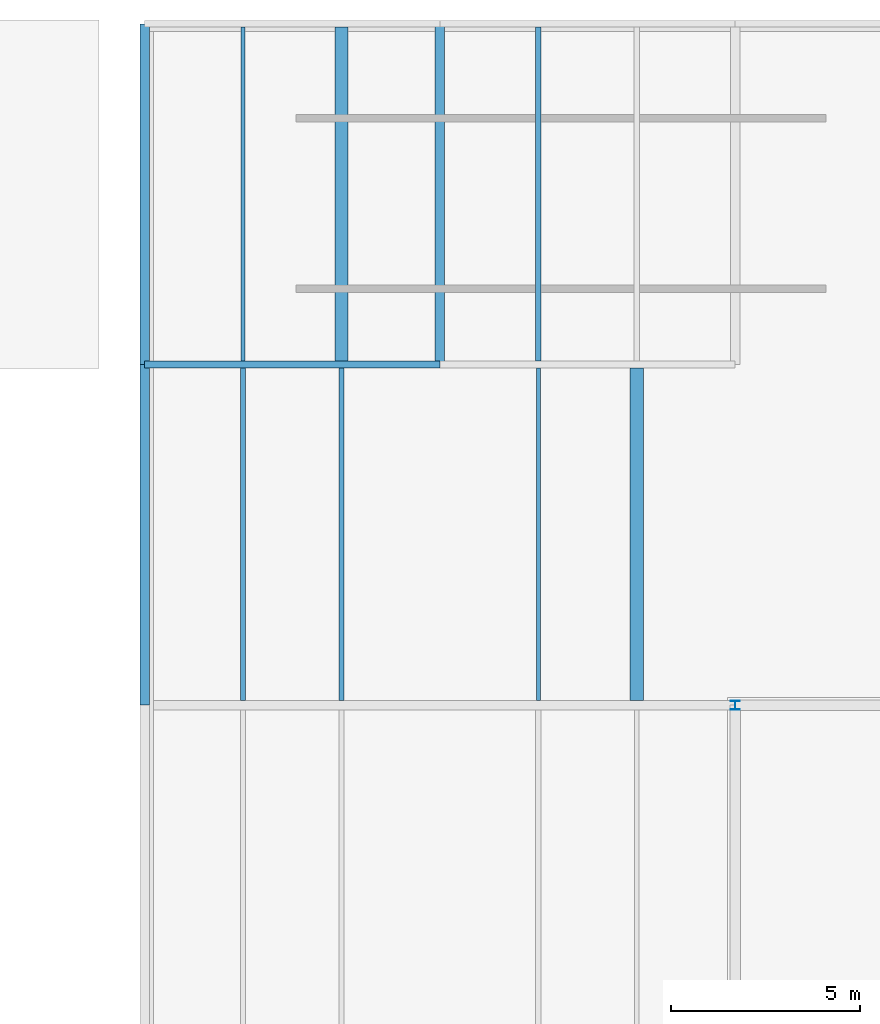
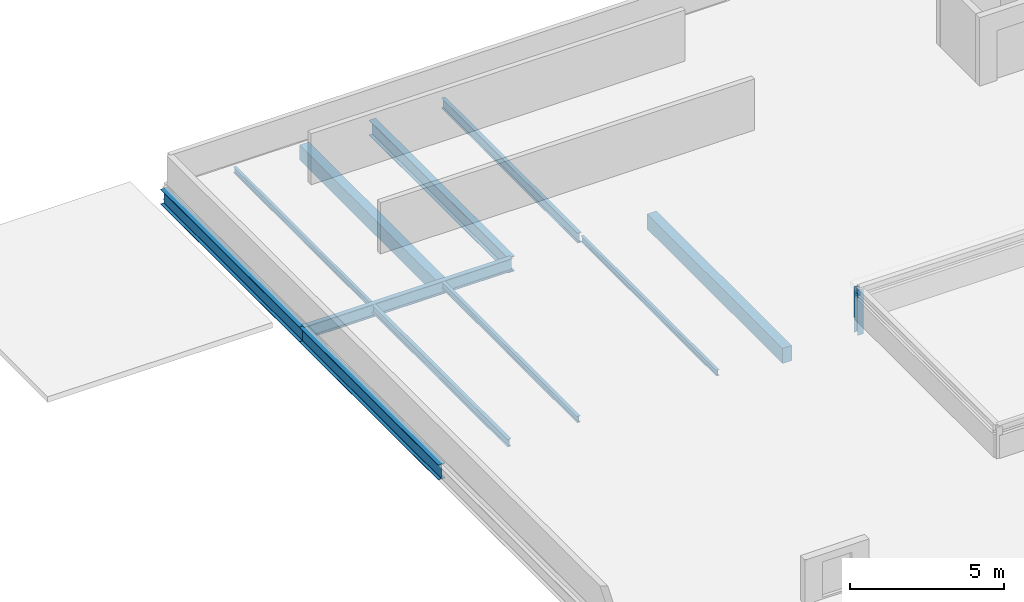
# One storey, part 5 of 9: 11 beams, 1 member.
"""IFC4 building model written with IfcOpenShell, lengths in metres."""

from ifc_helpers import new_model, si_unit, derived_unit, direction, frame, origin, origin_2d, place, context, subcontext, project, spatial, rectangle, i_section, extrude, material, material_profile, profile_set, type_object, element, save


model = new_model("IFC4")

# Units and contexts
model_context = context("Model", 3, precision=1e-05, world=origin(), true_north=direction((0.0, 1.0)))
body_context = subcontext(model_context, "Body", "Model", "MODEL_VIEW")
ifc_project = project(units=[si_unit("LENGTHUNIT", "METRE"), si_unit("AREAUNIT", "SQUARE_METRE"), si_unit("VOLUMEUNIT", "CUBIC_METRE"), si_unit("PLANEANGLEUNIT", "RADIAN"), si_unit("MASSUNIT", "GRAM", prefix="KILO"), derived_unit("THERMALTRANSMITTANCEUNIT", [(si_unit("POWERUNIT", "WATT"), 1), (si_unit("LENGTHUNIT", "METRE"), -2), (si_unit("THERMODYNAMICTEMPERATUREUNIT", "KELVIN"), -1)])], contexts=[model_context])

# Site, building, storey
site_placement = place(None, origin())
site = spatial("IfcSite", under=ifc_project, at=site_placement, CompositionType="ELEMENT")
building_placement = place(site_placement, origin())
building = spatial("IfcBuilding", under=site, at=building_placement, Name="Nallur Shell Playhouse", CompositionType="ELEMENT")
storey_placement = place(building_placement, frame((0.0, 0.0, 31.199951171875)))
storey = spatial("IfcBuildingStorey", under=building, at=storey_placement, Name="RF2", CompositionType="ELEMENT", Elevation=31.199951171875)

# Beams
ifc_material_1 = material(Name="Steel E250", Category="steel")
ifc_material_profile_1 = material_profile(ifc_material_1, i_section(OverallWidth=0.110107421875, OverallDepth=0.22509765625, WebThickness=0.006591796875, FlangeThickness=0.01171875, FilletRadius=0.011962890625, at=origin_2d()), Name="ISMB 225")
ifc_profile_set_1 = profile_set([ifc_material_profile_1], Name="Steel E250")
beam_type_1 = type_object("IfcBeamType", Name="BM-JST-ISMB225", PredefinedType="JOIST", material=ifc_profile_set_1)
beam_1_placement = place(storey_placement, frame((66.60009765625, 74.087890625, -0.33251953125), z_axis=(0.0, 1.0, 0.0), x_axis=(-1.0, 0.0, 0.0)))
element("IfcBeam", 1, at=beam_1_placement, inside=storey, type_object=beam_type_1, Name="RF2 secondary joist 8-J-1283", PredefinedType="JOIST", context=body_context, shape_type="SweptSolid", body=[
    extrude(i_section(OverallWidth=0.110107421875, OverallDepth=0.22509765625, WebThickness=0.006591796875, FlangeThickness=0.01171875, FilletRadius=0.011962890625, at=origin_2d()), origin(), (0.0, 0.0, 1.0), 8.82421875),
])
beam_2_placement = place(storey_placement, frame((74.39990234375, 65.123046875, -0.33251953125), z_axis=(0.0, 1.0, 0.0), x_axis=(-1.0, 0.0, 0.0)))
element("IfcBeam", 2, at=beam_2_placement, inside=storey, type_object=beam_type_1, Name="RF2 secondary joist 9-H-1289", PredefinedType="JOIST", context=body_context, shape_type="SweptSolid", body=[
    extrude(i_section(OverallWidth=0.110107421875, OverallDepth=0.22509765625, WebThickness=0.006591796875, FlangeThickness=0.01171875, FilletRadius=0.011962890625, at=origin_2d()), origin(), (0.0, 0.0, 1.0), 8.7890625),
])
ifc_material_profile_2 = material_profile(ifc_material_1, i_section(OverallWidth=0.125, OverallDepth=0.25, WebThickness=0.0068359375, FlangeThickness=0.012451171875, FilletRadius=0.012939453125, at=origin_2d()), Name="ISMB 250")
ifc_profile_set_2 = profile_set([ifc_material_profile_2], Name="Steel E250")
beam_type_2 = type_object("IfcBeamType", Name="BM-JST-ISMB250", PredefinedType="JOIST", material=ifc_profile_set_2)
beam_3_placement = place(storey_placement, frame((69.199951171875, 65.123046875, -0.344970703125), z_axis=(0.0, 1.0, 0.0), x_axis=(-1.0, 0.0, 0.0)))
element("IfcBeam", 3, at=beam_3_placement, inside=storey, type_object=beam_type_2, Name="RF2 secondary joist 8-H-1282", PredefinedType="JOIST", context=body_context, shape_type="SweptSolid", body=[
    extrude(i_section(OverallWidth=0.125, OverallDepth=0.25, WebThickness=0.0068359375, FlangeThickness=0.012451171875, FilletRadius=0.012939453125, at=origin_2d()), origin(), (0.0, 0.0, 1.0), 8.7890625),
])
ifc_material_profile_3 = material_profile(ifc_material_1, i_section(OverallWidth=0.139892578125, OverallDepth=0.300048828125, WebThickness=0.0078125, FlangeThickness=0.01318359375, FilletRadius=0.013916015625, at=origin_2d()), Name="ISMB 300")
ifc_profile_set_3 = profile_set([ifc_material_profile_3], Name="Steel E250")
beam_type_3 = type_object("IfcBeamType", Name="BM-JST-ISMB300", PredefinedType="JOIST", material=ifc_profile_set_3)
beam_4_placement = place(storey_placement, frame((66.60009765625, 65.123046875, -0.369873046875), z_axis=(0.0, 1.0, 0.0), x_axis=(-1.0, 0.0, 0.0)))
element("IfcBeam", 4, at=beam_4_placement, inside=storey, type_object=beam_type_3, Name="RF2 secondary joist 8-H-1281", PredefinedType="JOIST", context=body_context, shape_type="SweptSolid", body=[
    extrude(i_section(OverallWidth=0.139892578125, OverallDepth=0.300048828125, WebThickness=0.0078125, FlangeThickness=0.01318359375, FilletRadius=0.013916015625, at=origin_2d()), origin(), (0.0, 0.0, 1.0), 8.7890625),
])
ifc_material_profile_4 = material_profile(ifc_material_1, i_section(OverallWidth=0.139892578125, OverallDepth=0.39990234375, WebThickness=0.0087890625, FlangeThickness=0.01611328125, FilletRadius=0.013916015625, at=origin_2d()), Name="ISMB 400")
ifc_profile_set_4 = profile_set([ifc_material_profile_4], Name="Steel E250")
beam_type_4 = type_object("IfcBeamType", Name="BM-JST-ISMB400", PredefinedType="JOIST", material=ifc_profile_set_4)
beam_5_placement = place(storey_placement, frame((74.39990234375, 74.087890625, -0.419921875), z_axis=(0.0, 1.0, 0.0), x_axis=(-1.0, 0.0, 0.0)))
element("IfcBeam", 5, at=beam_5_placement, inside=storey, type_object=beam_type_4, Name="RF2 secondary joist 9-J-1291", PredefinedType="JOIST", context=body_context, shape_type="SweptSolid", body=[
    extrude(i_section(OverallWidth=0.139892578125, OverallDepth=0.39990234375, WebThickness=0.0087890625, FlangeThickness=0.01611328125, FilletRadius=0.013916015625, at=origin_2d()), origin(), (0.0, 0.0, 1.0), 8.82421875),
])
ifc_material_2 = material(Name="Concrete M30", Category="concrete")
ifc_material_profile_5 = material_profile(ifc_material_2, rectangle(XDim=0.35009765625, YDim=0.60009765625, at=origin_2d()), Name="RC 350x600")
ifc_profile_set_5 = profile_set([ifc_material_profile_5], Name="Concrete M30")
beam_type_5 = type_object("IfcBeamType", Name="BM-RC-350x600", PredefinedType="JOIST", material=ifc_profile_set_5)
beam_6_placement = place(storey_placement, frame((69.199951171875, 74.087890625, -0.52001953125), z_axis=(0.0, 1.0, 0.0), x_axis=(-1.0, 0.0, 0.0)))
element("IfcBeam", 6, at=beam_6_placement, inside=storey, type_object=beam_type_5, Name="RF2 secondary joist 8-J-1284", PredefinedType="JOIST", context=body_context, shape_type="SweptSolid", body=[
    extrude(rectangle(XDim=0.35009765625, YDim=0.60009765625, at=origin_2d()), origin(), (0.0, 0.0, 1.0), 8.82421875),
])
beam_7_placement = place(storey_placement, frame((77.0, 65.123046875, -0.52001953125), z_axis=(0.0, 1.0, 0.0), x_axis=(-1.0, 0.0, 0.0)))
element("IfcBeam", 7, at=beam_7_placement, inside=storey, type_object=beam_type_5, Name="RF2 secondary joist 9-H-1290", PredefinedType="JOIST", context=body_context, shape_type="SweptSolid", body=[
    extrude(rectangle(XDim=0.35009765625, YDim=0.60009765625, at=origin_2d()), origin(), (0.0, 0.0, 1.0), 8.7890625),
])
ifc_material_3 = material(Name="Steel E350", Category="steel")
ifc_material_profile_6 = material_profile(ifc_material_3, i_section(OverallWidth=0.179931640625, OverallDepth=0.5, WebThickness=0.01025390625, FlangeThickness=0.01708984375, FilletRadius=0.01708984375, at=origin_2d()), Name="ISMB 500")
ifc_profile_set_6 = profile_set([ifc_material_profile_6], Name="Steel E350")
beam_type_6 = type_object("IfcBeamType", Name="BM-ST-ISMB500", PredefinedType="BEAM", material=ifc_profile_set_6)
beam_8_placement = place(storey_placement, frame((64.0, 74.0, -0.469970703125), z_axis=(1.0, 0.0, 0.0), x_axis=(0.0, 1.0, 0.0)))
element("IfcBeam", 8, at=beam_8_placement, inside=storey, type_object=beam_type_6, Name="RF2 girder X-J-1255", PredefinedType="BEAM", context=body_context, shape_type="SweptSolid", body=[
    extrude(i_section(OverallWidth=0.179931640625, OverallDepth=0.5, WebThickness=0.01025390625, FlangeThickness=0.01708984375, FilletRadius=0.01708984375, at=origin_2d()), origin(), (0.0, 0.0, 1.0), 7.800048828125),
])
ifc_material_profile_7 = material_profile(ifc_material_3, i_section(OverallWidth=0.25, OverallDepth=0.60009765625, WebThickness=0.01171875, FlangeThickness=0.023681640625, FilletRadius=0.01708984375, at=origin_2d()), Name="ISWB 600")
ifc_profile_set_7 = profile_set([ifc_material_profile_7], Name="Steel E350")
beam_type_7 = type_object("IfcBeamType", Name="BM-ST-ISWB600", PredefinedType="BEAM", material=ifc_profile_set_7)
for number, where, z_axis, x_axis, name in (
    (9, (64.0, 65.0, -0.52001953125), (0.0, 1.0, 0.0), (-1.0, 0.0, 0.0), "RF2 girder Y-8-1264"),
    (10, (64.0, 74.0, -0.52001953125), (0.0, 1.0, 0.0), (-1.0, 0.0, 0.0), "RF2 girder Y-8-1265"),
    (11, (71.800048828125, 74.0, -0.52001953125), (0.0, 1.0, 0.0), (-1.0, 0.0, 0.0), "RF2 girder Y-9-1266"),
):
    element("IfcBeam", number, at=place(storey_placement, frame(where, z_axis=z_axis, x_axis=x_axis)), inside=storey, type_object=beam_type_7, Name=name, PredefinedType="BEAM", context=body_context, shape_type="SweptSolid", body=[
        extrude(i_section(OverallWidth=0.25, OverallDepth=0.60009765625, WebThickness=0.01171875, FlangeThickness=0.023681640625, FilletRadius=0.01708984375, at=origin_2d()), origin(), (0.0, 0.0, 1.0), 9.0),
    ])

# Member
ifc_material_profile_8 = material_profile(ifc_material_3, i_section(OverallWidth=0.22509765625, OverallDepth=0.22509765625, WebThickness=0.008544921875, FlangeThickness=0.009033203125, FilletRadius=0.010009765625, at=origin_2d()), Name="ISHB 225")
ifc_profile_set_8 = profile_set([ifc_material_profile_8], Name="Steel E350")
member_type = type_object("IfcMemberType", Name="MB-TR-POST", PredefinedType="POST", material=ifc_profile_set_8)
member_placement = place(storey_placement, frame((79.60009765625, 65.0, -0.5), z_axis=(0.0, 0.0, 1.0), x_axis=(1.0, 0.0, 0.0)))
element("IfcMember", 12, at=member_placement, inside=storey, type_object=member_type, Name="Smoke lantern corner column 4", PredefinedType="POST", context=body_context, shape_type="SweptSolid", body=[
    extrude(i_section(OverallWidth=0.22509765625, OverallDepth=0.22509765625, WebThickness=0.008544921875, FlangeThickness=0.009033203125, FilletRadius=0.010009765625, at=origin_2d()), origin(), (0.0, 0.0, 1.0), 1.800048828125),
])

save(model, "model.ifc")
